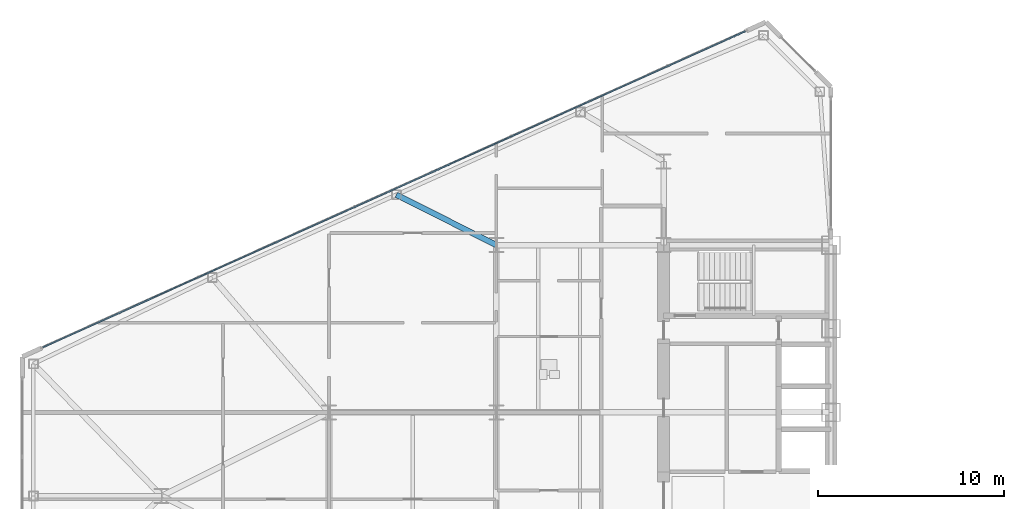
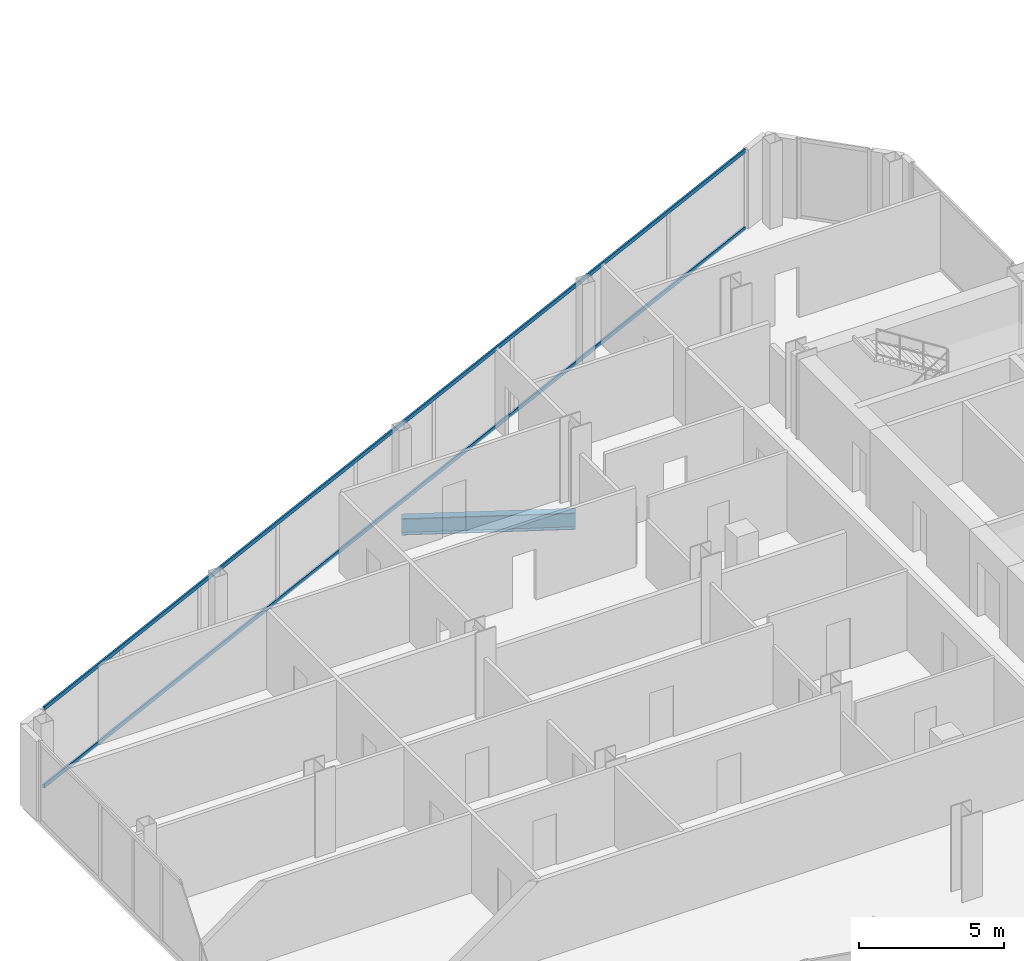
# One storey, part 8 of 27: 2 members, 1 beam, 1 element without a shape of its own.
"""IFC4 building model written with IfcOpenShell, lengths in metres."""

import ifcopenshell
import ifcopenshell.guid

model = None  # the IFC model being written
_history = None  # IfcOwnerHistory: only IFC2X3 demands one
_inside = {}  # id of a spatial element -> (the spatial element, [elements in it])
_under = {}  # id of a project, library or spatial element -> (it, [spatial elements below it])
_declared = {}  # id of a project -> (the project, [libraries it declares])
_typed = {}  # id of a type object -> (the type object, [elements of that type])
_made_of = {}  # id of a material, layer set ... -> (it, [elements and type objects made of it])


def new_model(schema):
    """Start an empty IFC model of exactly this schema.

    Asked for "IFC4X3", IfcOpenShell would pick the latest addendum, in which some entities
    have other attributes; the version numbers below select the first issue.
    IFC2X3 requires an IfcOwnerHistory on every rooted entity: one is made here for all.
    """
    global model, _history
    if schema == "IFC4X3":
        model = ifcopenshell.file(schema_version=(4, 3, 0, 0))
    else:
        model = ifcopenshell.file(schema=schema)
    _inside.clear()
    _under.clear()
    _declared.clear()
    _typed.clear()
    _made_of.clear()
    _history = None
    if model.schema == "IFC2X3":
        org = make("IfcOrganization", Name="unknown")
        user = make(
            "IfcPersonAndOrganization",
            ThePerson=make("IfcPerson", FamilyName="unknown"),
            TheOrganization=org,
        )
        app = make(
            "IfcApplication",
            ApplicationDeveloper=org,
            Version="unknown",
            ApplicationFullName="unknown",
            ApplicationIdentifier="unknown",
        )
        _history = make(
            "IfcOwnerHistory",
            OwningUser=user,
            OwningApplication=app,
            ChangeAction="ADDED",
            CreationDate=0,
        )
    return model


def make(cls, **values):
    """One entity of the class cls with the attributes given. An attribute that is None is left unset."""
    return model.create_entity(
        cls, **{name: value for name, value in values.items() if value is not None}
    )


def rooted(cls, **values):
    """An entity with a GlobalId (a new one), such as an element, a storey or a relation."""
    return make(cls, GlobalId=ifcopenshell.guid.new(), OwnerHistory=_history, **values)


def si_unit(unit_type, name, prefix=None):
    """IfcSIUnit, for example si_unit("LENGTHUNIT", "METRE", prefix="MILLI")."""
    return make("IfcSIUnit", UnitType=unit_type, Prefix=prefix, Name=name)


def assignment(units):
    """IfcUnitAssignment: the units of a project."""
    return None if units is None else make("IfcUnitAssignment", Units=units)


def point(xyz):
    """IfcCartesianPoint."""
    return None if xyz is None else make("IfcCartesianPoint", Coordinates=xyz)


def direction(xyz):
    """IfcDirection."""
    return None if xyz is None else make("IfcDirection", DirectionRatios=xyz)


def frame(location, z_axis=None, x_axis=None):
    """IfcAxis2Placement3D, a coordinate frame: its origin and axes. An axis left out is left unset."""
    return make(
        "IfcAxis2Placement3D",
        Location=point(location),
        Axis=direction(z_axis),
        RefDirection=direction(x_axis),
    )


def frame_2d(location, x_axis=None):
    """IfcAxis2Placement2D, a coordinate frame in the plane: its origin and x axis."""
    return make(
        "IfcAxis2Placement2D", Location=point(location), RefDirection=direction(x_axis)
    )


def origin():
    """The frame at (0, 0, 0) with its axes left unset."""
    return frame((0.0, 0.0, 0.0))


def origin_2d():
    """The frame at (0, 0) in the plane with its x axis left unset."""
    return frame_2d((0.0, 0.0))


def place(relative_to, where):
    """IfcLocalPlacement: puts the frame where relative to a parent placement (None: the world)."""
    return make(
        "IfcLocalPlacement", PlacementRelTo=relative_to, RelativePlacement=where
    )


def context(
    kind, dimensions, precision=None, world=None, true_north=None, identifier=None
):
    """IfcGeometricRepresentationContext, for example the 3D "Model" context."""
    return make(
        "IfcGeometricRepresentationContext",
        ContextIdentifier=identifier,
        ContextType=kind,
        CoordinateSpaceDimension=dimensions,
        Precision=precision,
        WorldCoordinateSystem=world,
        TrueNorth=true_north,
    )


def subcontext(parent, identifier, kind, view, scale=None):
    """IfcGeometricRepresentationSubContext, for example "Body" below "Model"."""
    return make(
        "IfcGeometricRepresentationSubContext",
        ContextIdentifier=identifier,
        ContextType=kind,
        ParentContext=parent,
        TargetScale=scale,
        TargetView=view,
    )


def project(units=None, contexts=None):
    """IfcProject with its units and contexts."""
    return rooted(
        "IfcProject",
        Name="project",
        RepresentationContexts=contexts,
        UnitsInContext=assignment(units),
    )


def spatial(cls, under=None, at=None, **own):
    """A site, building, storey or space (cls), placed at a placement, below another one or the project."""
    s = rooted(cls, ObjectPlacement=at, **own)
    if under is not None:
        _under.setdefault(under.id(), (under, []))[1].append(s)
    return s


def profile(cls, at=None, kind="AREA", **sizes):
    """A parametric profile (cls). Its sizes go by their IFC names, for example OverallWidth=200.0."""
    return make(cls, ProfileType=kind, Position=at, **sizes)


def rectangle(**sizes):
    """IfcRectangleProfileDef."""
    return profile("IfcRectangleProfileDef", **sizes)


def i_section(**sizes):
    """IfcIShapeProfileDef."""
    return profile("IfcIShapeProfileDef", **sizes)


def extrude(swept, where, along, depth):
    """IfcExtrudedAreaSolid: the profile swept, set in the frame where, extruded along a direction by depth."""
    return make(
        "IfcExtrudedAreaSolid",
        SweptArea=swept,
        Position=where,
        ExtrudedDirection=direction(along),
        Depth=depth,
    )


def shape(context_of_items, identifier, shape_type, items):
    """IfcShapeRepresentation: the items that make up one representation, for example the "Body"."""
    return make(
        "IfcShapeRepresentation",
        ContextOfItems=context_of_items,
        RepresentationIdentifier=identifier,
        RepresentationType=shape_type,
        Items=items,
    )


def source(mapping_origin, context_of_items, identifier, shape_type, items):
    """IfcRepresentationMap: a shape defined once, which mapped items show again and again."""
    return make(
        "IfcRepresentationMap",
        MappingOrigin=mapping_origin,
        MappedRepresentation=shape(context_of_items, identifier, shape_type, items),
    )


def transform(
    local_origin,
    x_axis=None,
    y_axis=None,
    z_axis=None,
    scale=None,
    scale2=None,
    scale3=None,
    uniform=True,
):
    """IfcCartesianTransformationOperator3D, or its non-uniform kind. x_axis, y_axis, z_axis: its Axis1, 2, 3."""
    if uniform:
        return make(
            "IfcCartesianTransformationOperator3D",
            Axis1=direction(x_axis),
            Axis2=direction(y_axis),
            LocalOrigin=point(local_origin),
            Scale=scale,
            Axis3=direction(z_axis),
        )
    return make(
        "IfcCartesianTransformationOperator3DnonUniform",
        Axis1=direction(x_axis),
        Axis2=direction(y_axis),
        LocalOrigin=point(local_origin),
        Scale=scale,
        Axis3=direction(z_axis),
        Scale2=scale2,
        Scale3=scale3,
    )


def mapped(mapping_source, mapping_target):
    """IfcMappedItem: shows the shape of a source again, moved by a transform."""
    return make(
        "IfcMappedItem", MappingSource=mapping_source, MappingTarget=mapping_target
    )


def material(Name=None, Category=None):
    """IfcMaterial."""
    return make("IfcMaterial", Name=Name, Category=Category)


def layer(
    of_material, thickness, ventilated=None, Name=None, Category=None, Priority=None
):
    """IfcMaterialLayer: one layer of a wall or slab, of a material (None: an air gap)."""
    return make(
        "IfcMaterialLayer",
        Material=of_material,
        LayerThickness=thickness,
        IsVentilated=ventilated,
        Name=Name,
        Category=Category,
        Priority=Priority,
    )


def layer_set(layers, Name=None):
    """IfcMaterialLayerSet."""
    return make("IfcMaterialLayerSet", MaterialLayers=layers, LayerSetName=Name)


def material_profile(
    of_material, cross_section, Name=None, Category=None, Priority=None
):
    """IfcMaterialProfile: a cross section and its material."""
    return make(
        "IfcMaterialProfile",
        Name=Name,
        Material=of_material,
        Profile=cross_section,
        Priority=Priority,
        Category=Category,
    )


def profile_set(profiles, Name=None, composite=None):
    """IfcMaterialProfileSet."""
    return make(
        "IfcMaterialProfileSet",
        Name=Name,
        MaterialProfiles=profiles,
        CompositeProfile=composite,
    )


def made_of(thing, what):
    """Note that an element or type object is made of a material, layer set ...; save() writes the relation."""
    if what is not None:
        _made_of.setdefault(what.id(), (what, []))[1].append(thing)
    return thing


def type_object(cls, material=None, **own):
    """A type object (cls), such as IfcWallType, which elements share."""
    return made_of(rooted(cls, **own), material)


def type_shapes(of_type, sources):
    """Give a type object the sources (RepresentationMaps) that its elements show as mapped items."""
    of_type.RepresentationMaps = sources


def element(
    cls,
    number,
    at=None,
    inside=None,
    cuts=None,
    type_object=None,
    material=None,
    context=None,
    identifier="Body",
    shape_type=None,
    held_by="IfcProductDefinitionShape",
    body=None,
    shapes=None,
    **own,
):
    """One element of the class cls, such as IfcWall. Its Tag is "e" and its number.

    at: its placement. inside: the storey or other place that contains it. cuts: it is an
    opening in that element (IfcRelVoidsElement). A single representation is given by context,
    identifier, shape_type and body (its items); several are given by shapes. held_by: the class
    of the entity that holds the representations. save() writes the other relations.
    """
    e = rooted(cls, Tag="e%d" % number, ObjectPlacement=at, **own)
    if body is not None:
        shapes = [shape(context, identifier, shape_type, body)]
    if shapes is not None:
        e.Representation = make(held_by, Representations=shapes)
    if inside is not None:
        _inside.setdefault(inside.id(), (inside, []))[1].append(e)
    if cuts is not None:
        rooted(
            "IfcRelVoidsElement", RelatingBuildingElement=cuts, RelatedOpeningElement=e
        )
    if type_object is not None:
        _typed.setdefault(type_object.id(), (type_object, []))[1].append(e)
    return made_of(e, material)


def aggregate(whole, parts):
    """IfcRelAggregates: a whole, such as a stair, and the parts it consists of."""
    return rooted("IfcRelAggregates", RelatingObject=whole, RelatedObjects=parts)


def save(model, path):
    """Write the relations noted so far, then the file.

    IfcRelAggregates (storeys below a building ...), IfcRelContainedInSpatialStructure (elements
    in a storey), IfcRelDefinesByType, IfcRelAssociatesMaterial and IfcRelDeclares: one each for
    every whole, place, type object, material and project.
    """
    for whole, parts in _under.values():
        aggregate(whole, parts)
    for where, things in _inside.values():
        rooted(
            "IfcRelContainedInSpatialStructure",
            RelatedElements=things,
            RelatingStructure=where,
        )
    for kind, things in _typed.values():
        rooted("IfcRelDefinesByType", RelatedObjects=things, RelatingType=kind)
    for what, things in _made_of.values():
        rooted("IfcRelAssociatesMaterial", RelatedObjects=things, RelatingMaterial=what)
    for by, libraries in _declared.values():
        rooted("IfcRelDeclares", RelatingContext=by, RelatedDefinitions=libraries)
    model.write(path)


model = new_model("IFC4")

# Units and contexts
model_context = context("Model", 3, precision=1e-05, world=origin(), true_north=direction((0.0, 1.0)))
body_context = subcontext(model_context, "Body", "Model", "MODEL_VIEW")
ifc_project = project(units=[si_unit("LENGTHUNIT", "METRE"), si_unit("AREAUNIT", "SQUARE_METRE"), si_unit("VOLUMEUNIT", "CUBIC_METRE"), si_unit("PLANEANGLEUNIT", "RADIAN"), si_unit("MASSUNIT", "GRAM", prefix="KILO")], contexts=[model_context])

# Site, building, storey
site_placement = place(None, origin())
site = spatial("IfcSite", under=ifc_project, at=site_placement, CompositionType="ELEMENT")
building_placement = place(site_placement, origin())
building = spatial("IfcBuilding", under=site, at=building_placement, Name="Seokmaru Belvedere", CompositionType="ELEMENT")
storey_placement = place(building_placement, frame((0.0, 0.0, 83.699951171875)))
storey = spatial("IfcBuildingStorey", under=building, at=storey_placement, Name="L22", CompositionType="ELEMENT", Elevation=83.699951171875)

# Beam
ifc_material_1 = material(Name="Steel SM355 (355 MPa)", Category="steel")
ifc_material_profile_1 = material_profile(ifc_material_1, i_section(OverallWidth=0.300048828125, OverallDepth=0.699951171875, WebThickness=0.012939453125, FlangeThickness=0.02392578125, at=origin_2d()), Name="H-700x300x13x24")
ifc_profile_set_1 = profile_set([ifc_material_profile_1], Name="Steel SM355 (355 MPa)")
beam_type = type_object("IfcBeamType", Name="Primary Floor Girder H-700", PredefinedType="BEAM", material=ifc_profile_set_1)
shared_shape_1 = source(origin(), body_context, "Body", "SweptSolid", [
    extrude(i_section(OverallWidth=0.300048828125, OverallDepth=0.699951171875, WebThickness=0.012939453125, FlangeThickness=0.02392578125, at=origin_2d()), origin(), (0.0, 0.0, 1.0), 6.017333984375),
])
type_shapes(beam_type, [shared_shape_1])
beam_placement = place(storey_placement, frame((-50.875, 16.205322265625, -0.570068359375), z_axis=(0.893239341975, -0.449581447512, 0.0), x_axis=(0.449581447512, 0.893239341975, 0.0)))
element("IfcBeam", 1, at=beam_placement, inside=storey, type_object=beam_type, Name="L22 W Flank Radial Floor Girder N-2", PredefinedType="BEAM", context=body_context, shape_type="MappedRepresentation", body=[
    mapped(shared_shape_1, transform((0.0, 0.0, 0.0), scale=1.0)),
])

# Curtain wall, members
ifc_material_2 = material(Name="Bronze Triple Insulating Glass", Category="glass")
ifc_layer = layer(ifc_material_2, 0.195068359375)
ifc_layer_set = layer_set([ifc_layer], Name="Bronze Triple Insulating Glass")
curtain_wall_type = type_object("IfcCurtainWallType", Name="Lower-Mid Tapered Curtain Wall System CW-3", PredefinedType="NOTDEFINED", material=ifc_layer_set)
curtain_wall_placement = place(storey_placement, origin())
curtain_wall = element("IfcCurtainWall", 2, at=curtain_wall_placement, inside=storey, type_object=curtain_wall_type, Name="L22 Curtain Wall WF3", PredefinedType="NOTDEFINED")
ifc_material_3 = material(Name="Anodised Bronze Aluminium", Category="aluminium")
ifc_material_profile_2 = material_profile(ifc_material_3, rectangle(XDim=0.070068359375, YDim=0.1650390625, at=origin_2d()), Name="CW-T-70x165")
ifc_profile_set_2 = profile_set([ifc_material_profile_2], Name="Anodised Bronze Aluminium")
member_type = type_object("IfcMemberType", Name="Bronze Unitised Transom 70x165", PredefinedType="USERDEFINED", material=ifc_profile_set_2)
shared_shape_2 = source(origin(), body_context, "Body", "SweptSolid", [
    extrude(rectangle(XDim=0.070068359375, YDim=0.1650390625, at=origin_2d()), origin(), (0.0, 0.0, 1.0), 41.423583984375),
])
type_shapes(member_type, [shared_shape_2])
member_1_placement = place(storey_placement, frame((-32.112548828125, 24.99951171875, 0.03515625), z_axis=(-0.911918637916, -0.410371048956, 0.0), x_axis=(0.410371048956, -0.911918637916, 0.0)))
member_1 = element("IfcMember", 3, at=member_1_placement, type_object=member_type, Name="CW:L22:WF3 Continuous Transom 1", ObjectType="TRANSOM", PredefinedType="USERDEFINED", context=body_context, shape_type="MappedRepresentation", body=[
    mapped(shared_shape_2, transform((0.0, 0.0, 0.0), scale=1.0)),
])
member_2_placement = place(storey_placement, frame((-32.112548828125, 24.99951171875, 3.304931640625), z_axis=(-0.911918637916, -0.410371048956, 0.0), x_axis=(0.410371048956, -0.911918637916, 0.0)))
member_2 = element("IfcMember", 4, at=member_2_placement, type_object=member_type, Name="CW:L22:WF3 Continuous Transom 2", ObjectType="TRANSOM", PredefinedType="USERDEFINED", context=body_context, shape_type="MappedRepresentation", body=[
    mapped(shared_shape_2, transform((0.0, 0.0, 0.0), scale=1.0)),
])
aggregate(curtain_wall, [member_1, member_2])

save(model, "model.ifc")
